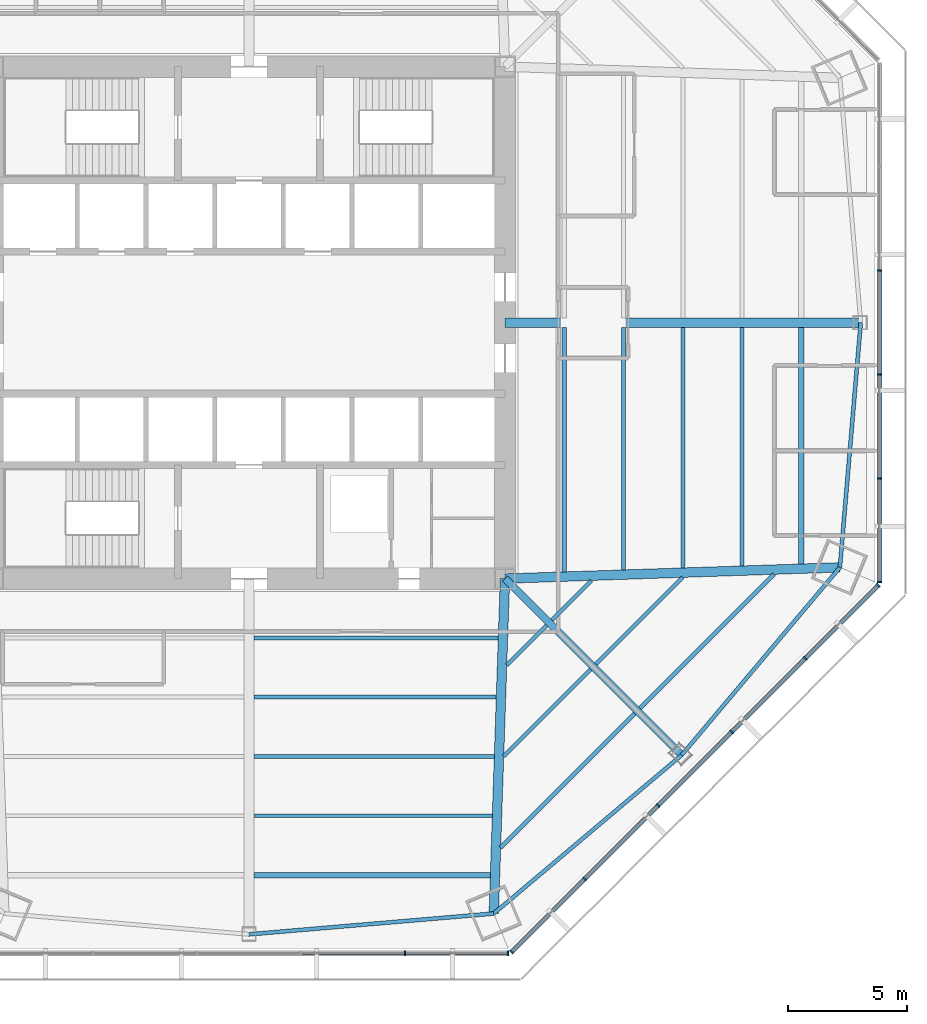
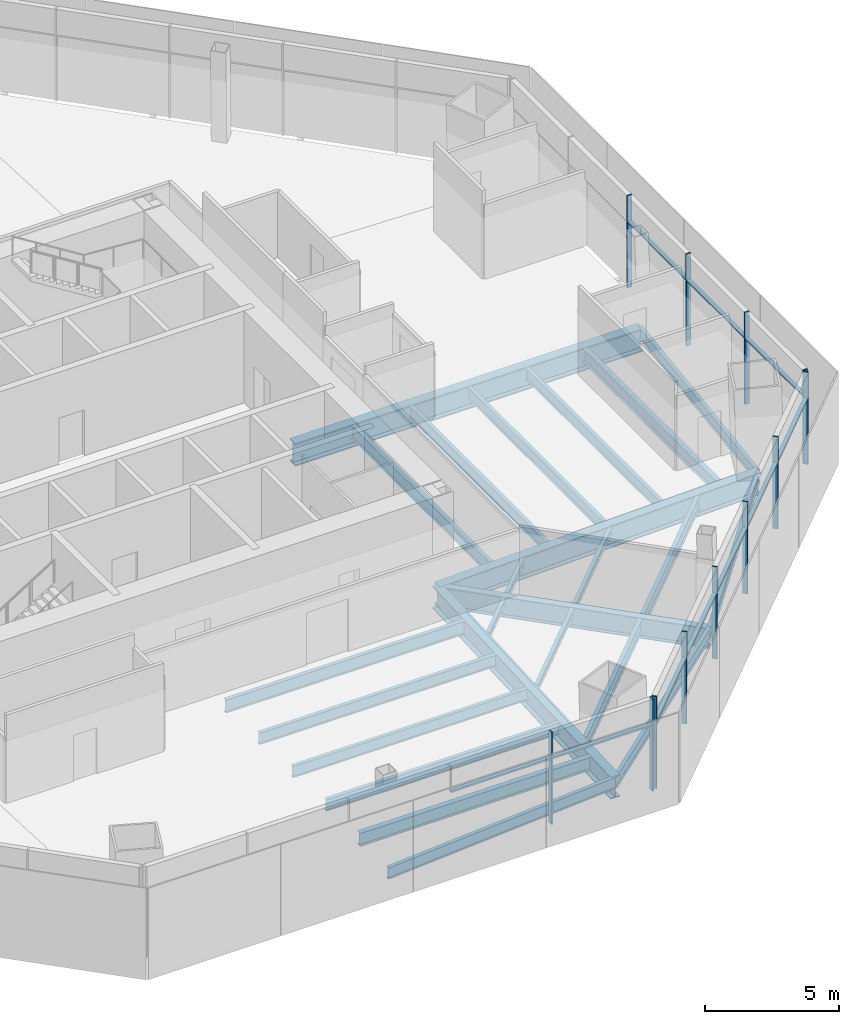
# One storey, part 3 of 13: 24 beams, 22 members, 3 elements without a shape of their own.
"""IFC4 building model written with IfcOpenShell, lengths in metres."""

import ifcopenshell
import ifcopenshell.guid

model = None  # the IFC model being written
_history = None  # IfcOwnerHistory: only IFC2X3 demands one
_inside = {}  # id of a spatial element -> (the spatial element, [elements in it])
_under = {}  # id of a project, library or spatial element -> (it, [spatial elements below it])
_declared = {}  # id of a project -> (the project, [libraries it declares])
_typed = {}  # id of a type object -> (the type object, [elements of that type])
_made_of = {}  # id of a material, layer set ... -> (it, [elements and type objects made of it])


def new_model(schema):
    """Start an empty IFC model of exactly this schema.

    Asked for "IFC4X3", IfcOpenShell would pick the latest addendum, in which some entities
    have other attributes; the version numbers below select the first issue.
    IFC2X3 requires an IfcOwnerHistory on every rooted entity: one is made here for all.
    """
    global model, _history
    if schema == "IFC4X3":
        model = ifcopenshell.file(schema_version=(4, 3, 0, 0))
    else:
        model = ifcopenshell.file(schema=schema)
    _inside.clear()
    _under.clear()
    _declared.clear()
    _typed.clear()
    _made_of.clear()
    _history = None
    if model.schema == "IFC2X3":
        org = make("IfcOrganization", Name="unknown")
        user = make(
            "IfcPersonAndOrganization",
            ThePerson=make("IfcPerson", FamilyName="unknown"),
            TheOrganization=org,
        )
        app = make(
            "IfcApplication",
            ApplicationDeveloper=org,
            Version="unknown",
            ApplicationFullName="unknown",
            ApplicationIdentifier="unknown",
        )
        _history = make(
            "IfcOwnerHistory",
            OwningUser=user,
            OwningApplication=app,
            ChangeAction="ADDED",
            CreationDate=0,
        )
    return model


def make(cls, **values):
    """One entity of the class cls with the attributes given. An attribute that is None is left unset."""
    return model.create_entity(
        cls, **{name: value for name, value in values.items() if value is not None}
    )


def rooted(cls, **values):
    """An entity with a GlobalId (a new one), such as an element, a storey or a relation."""
    return make(cls, GlobalId=ifcopenshell.guid.new(), OwnerHistory=_history, **values)


def si_unit(unit_type, name, prefix=None):
    """IfcSIUnit, for example si_unit("LENGTHUNIT", "METRE", prefix="MILLI")."""
    return make("IfcSIUnit", UnitType=unit_type, Prefix=prefix, Name=name)


def assignment(units):
    """IfcUnitAssignment: the units of a project."""
    return None if units is None else make("IfcUnitAssignment", Units=units)


def point(xyz):
    """IfcCartesianPoint."""
    return None if xyz is None else make("IfcCartesianPoint", Coordinates=xyz)


def direction(xyz):
    """IfcDirection."""
    return None if xyz is None else make("IfcDirection", DirectionRatios=xyz)


def frame(location, z_axis=None, x_axis=None):
    """IfcAxis2Placement3D, a coordinate frame: its origin and axes. An axis left out is left unset."""
    return make(
        "IfcAxis2Placement3D",
        Location=point(location),
        Axis=direction(z_axis),
        RefDirection=direction(x_axis),
    )


def frame_2d(location, x_axis=None):
    """IfcAxis2Placement2D, a coordinate frame in the plane: its origin and x axis."""
    return make(
        "IfcAxis2Placement2D", Location=point(location), RefDirection=direction(x_axis)
    )


def origin():
    """The frame at (0, 0, 0) with its axes left unset."""
    return frame((0.0, 0.0, 0.0))


def origin_2d():
    """The frame at (0, 0) in the plane with its x axis left unset."""
    return frame_2d((0.0, 0.0))


def place(relative_to, where):
    """IfcLocalPlacement: puts the frame where relative to a parent placement (None: the world)."""
    return make(
        "IfcLocalPlacement", PlacementRelTo=relative_to, RelativePlacement=where
    )


def context(
    kind, dimensions, precision=None, world=None, true_north=None, identifier=None
):
    """IfcGeometricRepresentationContext, for example the 3D "Model" context."""
    return make(
        "IfcGeometricRepresentationContext",
        ContextIdentifier=identifier,
        ContextType=kind,
        CoordinateSpaceDimension=dimensions,
        Precision=precision,
        WorldCoordinateSystem=world,
        TrueNorth=true_north,
    )


def subcontext(parent, identifier, kind, view, scale=None):
    """IfcGeometricRepresentationSubContext, for example "Body" below "Model"."""
    return make(
        "IfcGeometricRepresentationSubContext",
        ContextIdentifier=identifier,
        ContextType=kind,
        ParentContext=parent,
        TargetScale=scale,
        TargetView=view,
    )


def project(units=None, contexts=None):
    """IfcProject with its units and contexts."""
    return rooted(
        "IfcProject",
        Name="project",
        RepresentationContexts=contexts,
        UnitsInContext=assignment(units),
    )


def spatial(cls, under=None, at=None, **own):
    """A site, building, storey or space (cls), placed at a placement, below another one or the project."""
    s = rooted(cls, ObjectPlacement=at, **own)
    if under is not None:
        _under.setdefault(under.id(), (under, []))[1].append(s)
    return s


def profile(cls, at=None, kind="AREA", **sizes):
    """A parametric profile (cls). Its sizes go by their IFC names, for example OverallWidth=200.0."""
    return make(cls, ProfileType=kind, Position=at, **sizes)


def rectangle(**sizes):
    """IfcRectangleProfileDef."""
    return profile("IfcRectangleProfileDef", **sizes)


def i_section(**sizes):
    """IfcIShapeProfileDef."""
    return profile("IfcIShapeProfileDef", **sizes)


def extrude(swept, where, along, depth):
    """IfcExtrudedAreaSolid: the profile swept, set in the frame where, extruded along a direction by depth."""
    return make(
        "IfcExtrudedAreaSolid",
        SweptArea=swept,
        Position=where,
        ExtrudedDirection=direction(along),
        Depth=depth,
    )


def shape(context_of_items, identifier, shape_type, items):
    """IfcShapeRepresentation: the items that make up one representation, for example the "Body"."""
    return make(
        "IfcShapeRepresentation",
        ContextOfItems=context_of_items,
        RepresentationIdentifier=identifier,
        RepresentationType=shape_type,
        Items=items,
    )


def source(mapping_origin, context_of_items, identifier, shape_type, items):
    """IfcRepresentationMap: a shape defined once, which mapped items show again and again."""
    return make(
        "IfcRepresentationMap",
        MappingOrigin=mapping_origin,
        MappedRepresentation=shape(context_of_items, identifier, shape_type, items),
    )


def transform(
    local_origin,
    x_axis=None,
    y_axis=None,
    z_axis=None,
    scale=None,
    scale2=None,
    scale3=None,
    uniform=True,
):
    """IfcCartesianTransformationOperator3D, or its non-uniform kind. x_axis, y_axis, z_axis: its Axis1, 2, 3."""
    if uniform:
        return make(
            "IfcCartesianTransformationOperator3D",
            Axis1=direction(x_axis),
            Axis2=direction(y_axis),
            LocalOrigin=point(local_origin),
            Scale=scale,
            Axis3=direction(z_axis),
        )
    return make(
        "IfcCartesianTransformationOperator3DnonUniform",
        Axis1=direction(x_axis),
        Axis2=direction(y_axis),
        LocalOrigin=point(local_origin),
        Scale=scale,
        Axis3=direction(z_axis),
        Scale2=scale2,
        Scale3=scale3,
    )


def mapped(mapping_source, mapping_target):
    """IfcMappedItem: shows the shape of a source again, moved by a transform."""
    return make(
        "IfcMappedItem", MappingSource=mapping_source, MappingTarget=mapping_target
    )


def material(Name=None, Category=None):
    """IfcMaterial."""
    return make("IfcMaterial", Name=Name, Category=Category)


def material_profile(
    of_material, cross_section, Name=None, Category=None, Priority=None
):
    """IfcMaterialProfile: a cross section and its material."""
    return make(
        "IfcMaterialProfile",
        Name=Name,
        Material=of_material,
        Profile=cross_section,
        Priority=Priority,
        Category=Category,
    )


def profile_set(profiles, Name=None, composite=None):
    """IfcMaterialProfileSet."""
    return make(
        "IfcMaterialProfileSet",
        Name=Name,
        MaterialProfiles=profiles,
        CompositeProfile=composite,
    )


def made_of(thing, what):
    """Note that an element or type object is made of a material, layer set ...; save() writes the relation."""
    if what is not None:
        _made_of.setdefault(what.id(), (what, []))[1].append(thing)
    return thing


def type_object(cls, material=None, **own):
    """A type object (cls), such as IfcWallType, which elements share."""
    return made_of(rooted(cls, **own), material)


def type_shapes(of_type, sources):
    """Give a type object the sources (RepresentationMaps) that its elements show as mapped items."""
    of_type.RepresentationMaps = sources


def element(
    cls,
    number,
    at=None,
    inside=None,
    cuts=None,
    type_object=None,
    material=None,
    context=None,
    identifier="Body",
    shape_type=None,
    held_by="IfcProductDefinitionShape",
    body=None,
    shapes=None,
    **own,
):
    """One element of the class cls, such as IfcWall. Its Tag is "e" and its number.

    at: its placement. inside: the storey or other place that contains it. cuts: it is an
    opening in that element (IfcRelVoidsElement). A single representation is given by context,
    identifier, shape_type and body (its items); several are given by shapes. held_by: the class
    of the entity that holds the representations. save() writes the other relations.
    """
    e = rooted(cls, Tag="e%d" % number, ObjectPlacement=at, **own)
    if body is not None:
        shapes = [shape(context, identifier, shape_type, body)]
    if shapes is not None:
        e.Representation = make(held_by, Representations=shapes)
    if inside is not None:
        _inside.setdefault(inside.id(), (inside, []))[1].append(e)
    if cuts is not None:
        rooted(
            "IfcRelVoidsElement", RelatingBuildingElement=cuts, RelatedOpeningElement=e
        )
    if type_object is not None:
        _typed.setdefault(type_object.id(), (type_object, []))[1].append(e)
    return made_of(e, material)


def aggregate(whole, parts):
    """IfcRelAggregates: a whole, such as a stair, and the parts it consists of."""
    return rooted("IfcRelAggregates", RelatingObject=whole, RelatedObjects=parts)


def save(model, path):
    """Write the relations noted so far, then the file.

    IfcRelAggregates (storeys below a building ...), IfcRelContainedInSpatialStructure (elements
    in a storey), IfcRelDefinesByType, IfcRelAssociatesMaterial and IfcRelDeclares: one each for
    every whole, place, type object, material and project.
    """
    for whole, parts in _under.values():
        aggregate(whole, parts)
    for where, things in _inside.values():
        rooted(
            "IfcRelContainedInSpatialStructure",
            RelatedElements=things,
            RelatingStructure=where,
        )
    for kind, things in _typed.values():
        rooted("IfcRelDefinesByType", RelatedObjects=things, RelatingType=kind)
    for what, things in _made_of.values():
        rooted("IfcRelAssociatesMaterial", RelatedObjects=things, RelatingMaterial=what)
    for by, libraries in _declared.values():
        rooted("IfcRelDeclares", RelatingContext=by, RelatedDefinitions=libraries)
    model.write(path)


model = new_model("IFC4")

# Units and contexts
model_context = context("Model", 3, precision=1e-05, world=origin(), true_north=direction((0.0, 1.0)))
body_context = subcontext(model_context, "Body", "Model", "MODEL_VIEW")
ifc_project = project(units=[si_unit("LENGTHUNIT", "METRE"), si_unit("AREAUNIT", "SQUARE_METRE"), si_unit("VOLUMEUNIT", "CUBIC_METRE"), si_unit("PLANEANGLEUNIT", "RADIAN"), si_unit("MASSUNIT", "GRAM", prefix="KILO")], contexts=[model_context])

# Site, building, storey
site_placement = place(None, origin())
site = spatial("IfcSite", under=ifc_project, at=site_placement, CompositionType="ELEMENT")
building_placement = place(site_placement, origin())
building = spatial("IfcBuilding", under=site, at=building_placement, Name="Mashrafa Tower", CompositionType="ELEMENT")
storey_placement = place(building_placement, frame((0.0, 0.0, 49.800048828125)))
storey = spatial("IfcBuildingStorey", under=building, at=storey_placement, Name="L10", CompositionType="ELEMENT", Elevation=49.800048828125)

# Beams
ifc_material_1 = material(Name="Steel ASTM A992", Category="steel")
ifc_material_profile_1 = material_profile(ifc_material_1, i_section(OverallWidth=0.164794921875, OverallDepth=0.309814453125, WebThickness=0.005859375, FlangeThickness=0.009765625, FilletRadius=0.007568359375, at=origin_2d()), Name="W12X26")
ifc_profile_set_1 = profile_set([ifc_material_profile_1], Name="Steel ASTM A992")
beam_type_1 = type_object("IfcBeamType", Name="Beam W12X26", PredefinedType="BEAM", material=ifc_profile_set_1)
beam_1_placement = place(storey_placement, frame((12.553955078125, -12.771484375, -0.320068359375), z_axis=(-0.707055252181, -0.707158306437, 0.0), x_axis=(0.707158306437, -0.707055252181, 0.0)))
element("IfcBeam", 1, at=beam_1_placement, inside=storey, type_object=beam_type_1, Name="Floor beam L10 046", PredefinedType="BEAM", context=body_context, shape_type="SweptSolid", body=[
    extrude(i_section(OverallWidth=0.164794921875, OverallDepth=0.309814453125, WebThickness=0.005859375, FlangeThickness=0.009765625, FilletRadius=0.007568359375, at=origin_2d()), origin(), (0.0, 0.0, 1.0), 2.369140625),
])
beam_2_placement = place(storey_placement, frame((14.416748046875, -14.63427734375, -0.320068359375), z_axis=(-0.707106781187, -0.707106781187, 0.0), x_axis=(0.707106781187, -0.707106781187, 0.0)))
element("IfcBeam", 2, at=beam_2_placement, inside=storey, type_object=beam_type_1, Name="Floor beam L10 050", PredefinedType="BEAM", context=body_context, shape_type="SweptSolid", body=[
    extrude(i_section(OverallWidth=0.164794921875, OverallDepth=0.309814453125, WebThickness=0.005859375, FlangeThickness=0.009765625, FilletRadius=0.007568359375, at=origin_2d()), origin(), (0.0, 0.0, 1.0), 5.185546875),
])
beam_3_placement = place(storey_placement, frame((14.44677734375, -10.87890625, -0.320068359375), z_axis=(-0.707158306437, -0.707055252181, 0.0), x_axis=(0.707055252181, -0.707158306437, 0.0)))
element("IfcBeam", 3, at=beam_3_placement, inside=storey, type_object=beam_type_1, Name="Floor beam L10 052", PredefinedType="BEAM", context=body_context, shape_type="SweptSolid", body=[
    extrude(i_section(OverallWidth=0.164794921875, OverallDepth=0.309814453125, WebThickness=0.005859375, FlangeThickness=0.009765625, FilletRadius=0.007568359375, at=origin_2d()), origin(), (0.0, 0.0, 1.0), 2.369140625),
])
beam_4_placement = place(storey_placement, frame((18.301025390625, -10.75, -0.320068359375), z_axis=(-0.707106781187, -0.707106781187, 0.0), x_axis=(0.707106781187, -0.707106781187, 0.0)))
element("IfcBeam", 4, at=beam_4_placement, inside=storey, type_object=beam_type_1, Name="Floor beam L10 059", PredefinedType="BEAM", context=body_context, shape_type="SweptSolid", body=[
    extrude(i_section(OverallWidth=0.164794921875, OverallDepth=0.309814453125, WebThickness=0.005859375, FlangeThickness=0.009765625, FilletRadius=0.007568359375, at=origin_2d()), origin(), (0.0, 0.0, 1.0), 5.185546875),
])
ifc_material_2 = material(Name="Steel ASTM A992", Category="steel")
ifc_material_profile_2 = material_profile(ifc_material_2, i_section(OverallWidth=0.1650390625, OverallDepth=0.52587890625, WebThickness=0.0087890625, FlangeThickness=0.011474609375, FilletRadius=0.0126953125, at=origin_2d()), Name="W21X44")
ifc_profile_set_2 = profile_set([ifc_material_profile_2], Name="Steel ASTM A992")
beam_type_2 = type_object("IfcBeamType", Name="Beam W21X44", PredefinedType="BEAM", material=ifc_profile_set_2)
beam_5_placement = place(storey_placement, frame((10.264404296875, -20.80712890625, -0.427978515625), z_axis=(-1.0, 0.0, 0.0), x_axis=(0.0, -1.0, 0.0)))
element("IfcBeam", 5, at=beam_5_placement, inside=storey, type_object=beam_type_2, Name="Floor beam L10 040", PredefinedType="BEAM", context=body_context, shape_type="SweptSolid", body=[
    extrude(i_section(OverallWidth=0.1650390625, OverallDepth=0.52587890625, WebThickness=0.0087890625, FlangeThickness=0.011474609375, FilletRadius=0.0126953125, at=origin_2d()), origin(), (0.0, 0.0, 1.0), 10.059814453125),
])
for number, where, z_axis, x_axis, name in (
    (6, (10.34814453125, -18.305419921875, -0.427978515625), (-1.0, 0.0, 0.0), (0.0, -1.0, 0.0), "Floor beam L10 042"),
    (7, (18.305419921875, -0.20458984375, -0.427978515625), (0.0, -1.0, 0.0), (1.0, 0.0, 0.0), "Floor beam L10 057"),
):
    element("IfcBeam", number, at=place(storey_placement, frame(where, z_axis=z_axis, x_axis=x_axis)), inside=storey, type_object=beam_type_2, Name=name, PredefinedType="BEAM", context=body_context, shape_type="SweptSolid", body=[
        extrude(i_section(OverallWidth=0.1650390625, OverallDepth=0.52587890625, WebThickness=0.0087890625, FlangeThickness=0.011474609375, FilletRadius=0.0126953125, at=origin_2d()), origin(), (0.0, 0.0, 1.0), 10.1435546875),
    ])
beam_6_placement = place(storey_placement, frame((20.80712890625, -0.20458984375, -0.427978515625), z_axis=(0.0, -1.0, 0.0), x_axis=(1.0, 0.0, 0.0)))
element("IfcBeam", 8, at=beam_6_placement, inside=storey, type_object=beam_type_2, Name="Floor beam L10 060", PredefinedType="BEAM", context=body_context, shape_type="SweptSolid", body=[
    extrude(i_section(OverallWidth=0.1650390625, OverallDepth=0.52587890625, WebThickness=0.0087890625, FlangeThickness=0.011474609375, FilletRadius=0.0126953125, at=origin_2d()), origin(), (0.0, 0.0, 1.0), 10.059814453125),
])
ifc_material_3 = material(Name="Steel ASTM A992", Category="steel")
ifc_material_profile_3 = material_profile(ifc_material_3, i_section(OverallWidth=0.165771484375, OverallDepth=0.5283203125, WebThickness=0.009765625, FlangeThickness=0.013671875, FilletRadius=0.012939453125, at=origin_2d()), Name="W21X50")
ifc_profile_set_3 = profile_set([ifc_material_profile_3], Name="Steel ASTM A992")
beam_type_3 = type_object("IfcBeamType", Name="Beam W21X50", PredefinedType="BEAM", material=ifc_profile_set_3)
for number, where, z_axis, x_axis, name in (
    (9, (10.431884765625, -15.803466796875, -0.42919921875), (-1.0, 0.0, 0.0), (0.0, -1.0, 0.0), "Floor beam L10 043"),
    (10, (15.803466796875, -0.20458984375, -0.42919921875), (0.0, -1.0, 0.0), (1.0, 0.0, 0.0), "Floor beam L10 053"),
):
    element("IfcBeam", number, at=place(storey_placement, frame(where, z_axis=z_axis, x_axis=x_axis)), inside=storey, type_object=beam_type_3, Name=name, PredefinedType="BEAM", context=body_context, shape_type="SweptSolid", body=[
        extrude(i_section(OverallWidth=0.165771484375, OverallDepth=0.5283203125, WebThickness=0.009765625, FlangeThickness=0.013671875, FilletRadius=0.012939453125, at=origin_2d()), origin(), (0.0, 0.0, 1.0), 10.227294921875),
    ])
beam_7_placement = place(storey_placement, frame((0.0, -25.810546875, -0.42919921875), z_axis=(0.996404144799, 0.08472768277, 0.0), x_axis=(-0.08472768277, 0.996404144799, 0.0)))
element("IfcBeam", 11, at=beam_7_placement, inside=storey, type_object=beam_type_3, Name="Spandrel beam L10 088", PredefinedType="BEAM", context=body_context, shape_type="SweptSolid", body=[
    extrude(i_section(OverallWidth=0.165771484375, OverallDepth=0.5283203125, WebThickness=0.009765625, FlangeThickness=0.013671875, FilletRadius=0.012939453125, at=origin_2d()), origin(), (0.0, 0.0, 1.0), 10.36474609375),
])
for number, where, z_axis, x_axis, name in (
    (12, (10.327392578125, -24.932373046875, -0.42919921875), (0.764487724476, 0.644638285495, 0.0), (-0.644638285495, 0.764487724476, 0.0), "Spandrel beam L10 090"),
    (13, (18.2509765625, -18.2509765625, -0.42919921875), (0.644638285495, 0.764487724476, 0.0), (-0.764487724476, 0.644638285495, 0.0), "Spandrel beam L10 092"),
):
    element("IfcBeam", number, at=place(storey_placement, frame(where, z_axis=z_axis, x_axis=x_axis)), inside=storey, type_object=beam_type_3, Name=name, PredefinedType="BEAM", context=body_context, shape_type="SweptSolid", body=[
        extrude(i_section(OverallWidth=0.165771484375, OverallDepth=0.5283203125, WebThickness=0.009765625, FlangeThickness=0.013671875, FilletRadius=0.012939453125, at=origin_2d()), origin(), (0.0, 0.0, 1.0), 10.364501953125),
    ])
beam_8_placement = place(storey_placement, frame((24.932373046875, -10.327392578125, -0.42919921875), z_axis=(0.08472768277, 0.996404144799, 0.0), x_axis=(-0.996404144799, 0.08472768277, 0.0)))
element("IfcBeam", 14, at=beam_8_placement, inside=storey, type_object=beam_type_3, Name="Spandrel beam L10 094", PredefinedType="BEAM", context=body_context, shape_type="SweptSolid", body=[
    extrude(i_section(OverallWidth=0.165771484375, OverallDepth=0.5283203125, WebThickness=0.009765625, FlangeThickness=0.013671875, FilletRadius=0.012939453125, at=origin_2d()), origin(), (0.0, 0.0, 1.0), 10.36474609375),
])
ifc_material_4 = material(Name="Steel ASTM A992", Category="steel")
ifc_material_profile_4 = material_profile(ifc_material_4, i_section(OverallWidth=0.177978515625, OverallDepth=0.599365234375, WebThickness=0.010009765625, FlangeThickness=0.012939453125, FilletRadius=0.012939453125, at=origin_2d()), Name="W24X55")
ifc_profile_set_4 = profile_set([ifc_material_profile_4], Name="Steel ASTM A992")
beam_type_4 = type_object("IfcBeamType", Name="Beam W24X55", PredefinedType="BEAM", material=ifc_profile_set_4)
for number, where, z_axis, x_axis, name in (
    (15, (10.515380859375, -13.3017578125, -0.46484375), (-1.0, 0.0, 0.0), (0.0, -1.0, 0.0), "Floor beam L10 045"),
    (16, (13.3017578125, -0.20458984375, -0.46484375), (0.0, -1.0, 0.0), (1.0, 0.0, 0.0), "Floor beam L10 048"),
):
    element("IfcBeam", number, at=place(storey_placement, frame(where, z_axis=z_axis, x_axis=x_axis)), inside=storey, type_object=beam_type_4, Name=name, PredefinedType="BEAM", context=body_context, shape_type="SweptSolid", body=[
        extrude(i_section(OverallWidth=0.177978515625, OverallDepth=0.599365234375, WebThickness=0.010009765625, FlangeThickness=0.012939453125, FilletRadius=0.012939453125, at=origin_2d()), origin(), (0.0, 0.0, 1.0), 10.310791015625),
    ])
for number, where, z_axis, x_axis, name in (
    (17, (16.279541015625, -16.496826171875, -0.46484375), (-0.707106781187, -0.707106781187, 0.0), (0.707106781187, -0.707106781187, 0.0), "Floor beam L10 055"),
    (18, (22.155517578125, -10.620849609375, -0.46484375), (-0.707106781187, -0.707106781187, 0.0), (0.707106781187, -0.707106781187, 0.0), "Floor beam L10 062"),
):
    element("IfcBeam", number, at=place(storey_placement, frame(where, z_axis=z_axis, x_axis=x_axis)), inside=storey, type_object=beam_type_4, Name=name, PredefinedType="BEAM", context=body_context, shape_type="SweptSolid", body=[
        extrude(i_section(OverallWidth=0.177978515625, OverallDepth=0.599365234375, WebThickness=0.010009765625, FlangeThickness=0.012939453125, FilletRadius=0.012939453125, at=origin_2d()), origin(), (0.0, 0.0, 1.0), 8.002685546875),
    ])
ifc_material_5 = material(Name="Steel ASTM A992", Category="steel")
ifc_material_profile_5 = material_profile(ifc_material_5, i_section(OverallWidth=0.227783203125, OverallDepth=0.60205078125, WebThickness=0.010498046875, FlangeThickness=0.014892578125, FilletRadius=0.012939453125, at=origin_2d()), Name="W24X68")
ifc_profile_set_5 = profile_set([ifc_material_profile_5], Name="Steel ASTM A992")
beam_type_5 = type_object("IfcBeamType", Name="Beam W24X68", PredefinedType="BEAM", material=ifc_profile_set_5)
for number, where, z_axis, x_axis, name in (
    (19, (10.180908203125, -23.308837890625, -0.466064453125), (-1.0, 0.0, 0.0), (0.0, -1.0, 0.0), "Floor beam L10 038"),
    (20, (23.308837890625, -0.20458984375, -0.466064453125), (0.0, -1.0, 0.0), (1.0, 0.0, 0.0), "Floor beam L10 063"),
):
    element("IfcBeam", number, at=place(storey_placement, frame(where, z_axis=z_axis, x_axis=x_axis)), inside=storey, type_object=beam_type_5, Name=name, PredefinedType="BEAM", context=body_context, shape_type="SweptSolid", body=[
        extrude(i_section(OverallWidth=0.227783203125, OverallDepth=0.60205078125, WebThickness=0.010498046875, FlangeThickness=0.014892578125, FilletRadius=0.012939453125, at=origin_2d()), origin(), (0.0, 0.0, 1.0), 9.976318359375),
    ])
ifc_material_6 = material(Name="Steel ASTM A992", Category="steel")
ifc_material_profile_6 = material_profile(ifc_material_6, i_section(OverallWidth=0.307373046875, OverallDepth=0.927001953125, WebThickness=0.01953125, FlangeThickness=0.031982421875, FilletRadius=0.01904296875, at=origin_2d()), Name="W36X194")
ifc_profile_set_6 = profile_set([ifc_material_profile_6], Name="Steel ASTM A992")
beam_type_6 = type_object("IfcBeamType", Name="Beam W36X194", PredefinedType="BEAM", material=ifc_profile_set_6)
beam_9_placement = place(storey_placement, frame((10.800048828125, -10.800048828125, -0.628662109375), z_axis=(0.707106781187, -0.707106781187, 0.0), x_axis=(0.707106781187, 0.707106781187, 0.0)))
element("IfcBeam", 21, at=beam_9_placement, inside=storey, type_object=beam_type_6, Name="Radial girder L10 075", PredefinedType="BEAM", context=body_context, shape_type="SweptSolid", body=[
    extrude(i_section(OverallWidth=0.307373046875, OverallDepth=0.927001953125, WebThickness=0.01953125, FlangeThickness=0.031982421875, FilletRadius=0.01904296875, at=origin_2d()), origin(), (0.0, 0.0, 1.0), 10.537109375),
])
ifc_material_7 = material(Name="Steel ASTM A992", Category="steel")
ifc_material_profile_7 = material_profile(ifc_material_7, i_section(OverallWidth=0.4013671875, OverallDepth=1.010986328125, WebThickness=0.023681640625, FlangeThickness=0.0419921875, FilletRadius=0.02001953125, at=origin_2d()), Name="W40X297")
ifc_profile_set_7 = profile_set([ifc_material_profile_7], Name="Steel ASTM A992")
beam_type_7 = type_object("IfcBeamType", Name="Beam W40X297", PredefinedType="BEAM", material=ifc_profile_set_7)
for number, where, z_axis, x_axis, name in (
    (22, (10.800048828125, -10.800048828125, -0.67041015625), (-0.033426357507, -0.999441183174, 0.0), (0.999441183174, -0.033426357507, 0.0), "Radial girder L10 074"),
    (23, (10.800048828125, -10.800048828125, -0.67041015625), (0.999441183174, 0.033426357507, 0.0), (-0.033426357507, 0.999441183174, 0.0), "Radial girder L10 076"),
):
    element("IfcBeam", number, at=place(storey_placement, frame(where, z_axis=z_axis, x_axis=x_axis)), inside=storey, type_object=beam_type_7, Name=name, PredefinedType="BEAM", context=body_context, shape_type="SweptSolid", body=[
        extrude(i_section(OverallWidth=0.4013671875, OverallDepth=1.010986328125, WebThickness=0.023681640625, FlangeThickness=0.0419921875, FilletRadius=0.02001953125, at=origin_2d()), origin(), (0.0, 0.0, 1.0), 14.14013671875),
    ])
ifc_material_8 = material(Name="Steel ASTM A992", Category="steel")
ifc_material_profile_8 = material_profile(ifc_material_8, i_section(OverallWidth=0.408935546875, OverallDepth=1.04150390625, WebThickness=0.031005859375, FlangeThickness=0.055908203125, FilletRadius=0.020263671875, at=origin_2d()), Name="W40X397")
ifc_profile_set_8 = profile_set([ifc_material_profile_8], Name="Steel ASTM A992")
beam_type_8 = type_object("IfcBeamType", Name="Beam W40X397", PredefinedType="BEAM", material=ifc_profile_set_8)
beam_10_placement = place(storey_placement, frame((10.800048828125, 0.0, -0.685791015625), z_axis=(1.0, 0.0, 0.0), x_axis=(0.0, 1.0, 0.0)))
element("IfcBeam", 24, at=beam_10_placement, inside=storey, type_object=beam_type_8, Name="Radial girder L10 077", PredefinedType="BEAM", context=body_context, shape_type="SweptSolid", body=[
    extrude(i_section(OverallWidth=0.408935546875, OverallDepth=1.04150390625, WebThickness=0.031005859375, FlangeThickness=0.055908203125, FilletRadius=0.020263671875, at=origin_2d()), origin(), (0.0, 0.0, 1.0), 15.010498046875),
])

# Curtain wall, members
ifc_material_9 = material(Name="Unitised aluminium curtain wall", Category="aluminium")
curtain_wall_type = type_object("IfcCurtainWallType", Name="Office curtain wall, zone 1 CW-A 200 deep", PredefinedType="NOTDEFINED", material=ifc_material_9)
curtain_wall_1_placement = place(storey_placement, origin())
curtain_wall_1 = element("IfcCurtainWall", 25, at=curtain_wall_1_placement, inside=storey, type_object=curtain_wall_type, Name="Office curtain wall, zone 1 L10 east", PredefinedType="NOTDEFINED")
ifc_material_10 = material(Name="Extruded aluminium mullion", Category="aluminium")
ifc_material_profile_9 = material_profile(ifc_material_10, rectangle(XDim=0.199951171875, YDim=0.06494140625, at=origin_2d()), Name="Mullion 65x200")
ifc_profile_set_9 = profile_set([ifc_material_profile_9], Name="Extruded aluminium mullion")
member_type_1 = type_object("IfcMemberType", Name="Mullion CW-A 65 x 200", PredefinedType="MULLION", material=ifc_profile_set_9)
shared_shape_1 = source(origin(), body_context, "Body", "SweptSolid", [
    extrude(rectangle(XDim=0.199951171875, YDim=0.06494140625, at=origin_2d()), origin(), (0.0, 0.0, 1.0), 4.199951171875),
])
type_shapes(member_type_1, [shared_shape_1])
member_1_placement = place(storey_placement, frame((26.60595703125, -10.9365234375, 0.0), z_axis=(0.0, 0.0, 1.0), x_axis=(-1.0, 0.0, 0.0)))
member_1 = element("IfcMember", 26, at=member_1_placement, type_object=member_type_1, Name="CW-A mullion 1", PredefinedType="MULLION", context=body_context, shape_type="MappedRepresentation", body=[
    mapped(shared_shape_1, transform((0.0, 0.0, 0.0))),
])
member_2_placement = place(storey_placement, frame((26.60595703125, -6.58154296875, 0.0), z_axis=(0.0, 0.0, 1.0), x_axis=(-1.0, 0.0, 0.0)))
member_2 = element("IfcMember", 27, at=member_2_placement, type_object=member_type_1, Name="CW-A mullion 2", PredefinedType="MULLION", context=body_context, shape_type="MappedRepresentation", body=[
    mapped(shared_shape_1, transform((0.0, 0.0, 0.0))),
])
member_3_placement = place(storey_placement, frame((26.60595703125, -2.19384765625, 0.0), z_axis=(0.0, 0.0, 1.0), x_axis=(-1.0, 0.0, 0.0)))
member_3 = element("IfcMember", 28, at=member_3_placement, type_object=member_type_1, Name="CW-A mullion 3", PredefinedType="MULLION", context=body_context, shape_type="MappedRepresentation", body=[
    mapped(shared_shape_1, transform((0.0, 0.0, 0.0))),
])
member_4_placement = place(storey_placement, frame((26.60595703125, 2.19384765625, 0.0), z_axis=(0.0, 0.0, 1.0), x_axis=(-1.0, 0.0, 0.0)))
member_4 = element("IfcMember", 29, at=member_4_placement, type_object=member_type_1, Name="CW-A mullion 4", PredefinedType="MULLION", context=body_context, shape_type="MappedRepresentation", body=[
    mapped(shared_shape_1, transform((0.0, 0.0, 0.0))),
])

curtain_wall_2_placement = place(storey_placement, origin())
curtain_wall_2 = element("IfcCurtainWall", 30, at=curtain_wall_2_placement, inside=storey, type_object=curtain_wall_type, Name="Office curtain wall, zone 1 L10 south", PredefinedType="NOTDEFINED")
member_5_placement = place(storey_placement, frame((6.58154296875, -26.60595703125, 0.0), z_axis=(0.0, 0.0, 1.0), x_axis=(0.0, 1.0, 0.0)))
member_5 = element("IfcMember", 31, at=member_5_placement, type_object=member_type_1, Name="CW-A mullion 5", PredefinedType="MULLION", context=body_context, shape_type="MappedRepresentation", body=[
    mapped(shared_shape_1, transform((0.0, 0.0, 0.0))),
])
member_6_placement = place(storey_placement, frame((10.9365234375, -26.60595703125, 0.0), z_axis=(0.0, 0.0, 1.0), x_axis=(0.0, 1.0, 0.0)))
member_6 = element("IfcMember", 32, at=member_6_placement, type_object=member_type_1, Name="CW-A mullion 6", PredefinedType="MULLION", context=body_context, shape_type="MappedRepresentation", body=[
    mapped(shared_shape_1, transform((0.0, 0.0, 0.0))),
])

curtain_wall_3_placement = place(storey_placement, origin())
curtain_wall_3 = element("IfcCurtainWall", 33, at=curtain_wall_3_placement, inside=storey, type_object=curtain_wall_type, Name="Office curtain wall, zone 1 L10 south-east", PredefinedType="NOTDEFINED")
member_7_placement = place(storey_placement, frame((11.079833984375, -26.546630859375, 0.0), z_axis=(0.0, 0.0, 1.0), x_axis=(-0.707106781187, 0.707106781187, 0.0)))
member_7 = element("IfcMember", 34, at=member_7_placement, type_object=member_type_1, Name="CW-A mullion 1", PredefinedType="MULLION", context=body_context, shape_type="MappedRepresentation", body=[
    mapped(shared_shape_1, transform((0.0, 0.0, 0.0))),
])
member_8_placement = place(storey_placement, frame((14.159423828125, -23.467041015625, 0.0), z_axis=(0.0, 0.0, 1.0), x_axis=(-0.707106781187, 0.707106781187, 0.0)))
member_8 = element("IfcMember", 35, at=member_8_placement, type_object=member_type_1, Name="CW-A mullion 2", PredefinedType="MULLION", context=body_context, shape_type="MappedRepresentation", body=[
    mapped(shared_shape_1, transform((0.0, 0.0, 0.0))),
])
member_9_placement = place(storey_placement, frame((17.261962890625, -20.364501953125, 0.0), z_axis=(0.0, 0.0, 1.0), x_axis=(-0.707106781187, 0.707106781187, 0.0)))
member_9 = element("IfcMember", 36, at=member_9_placement, type_object=member_type_1, Name="CW-A mullion 3", PredefinedType="MULLION", context=body_context, shape_type="MappedRepresentation", body=[
    mapped(shared_shape_1, transform((0.0, 0.0, 0.0))),
])
member_10_placement = place(storey_placement, frame((20.364501953125, -17.261962890625, 0.0), z_axis=(0.0, 0.0, 1.0), x_axis=(-0.707106781187, 0.707106781187, 0.0)))
member_10 = element("IfcMember", 37, at=member_10_placement, type_object=member_type_1, Name="CW-A mullion 4", PredefinedType="MULLION", context=body_context, shape_type="MappedRepresentation", body=[
    mapped(shared_shape_1, transform((0.0, 0.0, 0.0))),
])
member_11_placement = place(storey_placement, frame((23.467041015625, -14.159423828125, 0.0), z_axis=(0.0, 0.0, 1.0), x_axis=(-0.707106781187, 0.707106781187, 0.0)))
member_11 = element("IfcMember", 38, at=member_11_placement, type_object=member_type_1, Name="CW-A mullion 5", PredefinedType="MULLION", context=body_context, shape_type="MappedRepresentation", body=[
    mapped(shared_shape_1, transform((0.0, 0.0, 0.0))),
])
member_12_placement = place(storey_placement, frame((26.546630859375, -11.079833984375, 0.0), z_axis=(0.0, 0.0, 1.0), x_axis=(-0.707106781187, 0.707106781187, 0.0)))
member_12 = element("IfcMember", 39, at=member_12_placement, type_object=member_type_1, Name="CW-A mullion 6", PredefinedType="MULLION", context=body_context, shape_type="MappedRepresentation", body=[
    mapped(shared_shape_1, transform((0.0, 0.0, 0.0))),
])

# Member
ifc_material_11 = material(Name="Extruded aluminium transom", Category="aluminium")
ifc_material_profile_10 = material_profile(ifc_material_11, rectangle(XDim=0.159912109375, YDim=0.080078125, at=origin_2d()), Name="Transom 80x160")
ifc_profile_set_10 = profile_set([ifc_material_profile_10], Name="Extruded aluminium transom")
member_type_2 = type_object("IfcMemberType", Name="Transom CW-A 80 x 160", PredefinedType="MULLION", material=ifc_profile_set_10)
shared_shape_2 = source(origin(), body_context, "Body", "SweptSolid", [
    extrude(rectangle(XDim=0.159912109375, YDim=0.080078125, at=origin_2d()), origin(), (0.0, 0.0, 1.0), 4.2900390625),
])
member_13_placement = place(storey_placement, frame((26.60595703125, -10.904052734375, 3.0), z_axis=(0.0, 1.0, 0.0), x_axis=(-1.0, 0.0, 0.0)))
member_13 = element("IfcMember", 40, at=member_13_placement, type_object=member_type_2, Name="CW-A transom 1", PredefinedType="MULLION", context=body_context, shape_type="MappedRepresentation", body=[
    mapped(shared_shape_2, transform((0.0, 0.0, 0.0))),
])

member_14_placement = place(storey_placement, frame((6.614013671875, -26.60595703125, 3.0), z_axis=(1.0, 0.0, 0.0), x_axis=(0.0, 1.0, 0.0)))
member_14 = element("IfcMember", 41, at=member_14_placement, type_object=member_type_2, Name="CW-A transom 5", PredefinedType="MULLION", context=body_context, shape_type="MappedRepresentation", body=[
    mapped(shared_shape_2, transform((0.0, 0.0, 0.0))),
])

shared_shape_3 = source(origin(), body_context, "Body", "SweptSolid", [
    extrude(rectangle(XDim=0.159912109375, YDim=0.080078125, at=origin_2d()), origin(), (0.0, 0.0, 1.0), 4.32275390625),
])
member_15_placement = place(storey_placement, frame((26.60595703125, -6.549072265625, 3.0), z_axis=(0.0, 1.0, 0.0), x_axis=(-1.0, 0.0, 0.0)))
member_15 = element("IfcMember", 42, at=member_15_placement, type_object=member_type_2, Name="CW-A transom 2", PredefinedType="MULLION", context=body_context, shape_type="MappedRepresentation", body=[
    mapped(shared_shape_3, transform((0.0, 0.0, 0.0))),
])

member_16_placement = place(storey_placement, frame((26.60595703125, -2.161376953125, 3.0), z_axis=(0.0, 1.0, 0.0), x_axis=(-1.0, 0.0, 0.0)))
member_16 = element("IfcMember", 43, at=member_16_placement, type_object=member_type_2, Name="CW-A transom 3", PredefinedType="MULLION", context=body_context, shape_type="MappedRepresentation", body=[
    mapped(shared_shape_3, transform((0.0, 0.0, 0.0))),
])

aggregate(curtain_wall_1, [member_1, member_2, member_3, member_4, member_13, member_15, member_16])

member_17_placement = place(storey_placement, frame((2.226318359375, -26.60595703125, 3.0), z_axis=(1.0, 0.0, 0.0), x_axis=(0.0, 1.0, 0.0)))
member_17 = element("IfcMember", 44, at=member_17_placement, type_object=member_type_2, Name="CW-A transom 4", PredefinedType="MULLION", context=body_context, shape_type="MappedRepresentation", body=[
    mapped(shared_shape_3, transform((0.0, 0.0, 0.0))),
])

aggregate(curtain_wall_2, [member_5, member_6, member_17, member_14])

member_18_placement = place(storey_placement, frame((14.182373046875, -23.444091796875, 3.0), z_axis=(0.707106781187, 0.707106781187, 0.0), x_axis=(-0.707106781187, 0.707106781187, 0.0)))
member_18 = element("IfcMember", 45, at=member_18_placement, type_object=member_type_2, Name="CW-A transom 2", PredefinedType="MULLION", context=body_context, shape_type="MappedRepresentation", body=[
    mapped(shared_shape_3, transform((0.0, 0.0, 0.0))),
])

member_19_placement = place(storey_placement, frame((17.284912109375, -20.341552734375, 3.0), z_axis=(0.707106781187, 0.707106781187, 0.0), x_axis=(-0.707106781187, 0.707106781187, 0.0)))
member_19 = element("IfcMember", 46, at=member_19_placement, type_object=member_type_2, Name="CW-A transom 3", PredefinedType="MULLION", context=body_context, shape_type="MappedRepresentation", body=[
    mapped(shared_shape_3, transform((0.0, 0.0, 0.0))),
])

member_20_placement = place(storey_placement, frame((20.387451171875, -17.239013671875, 3.0), z_axis=(0.707106781187, 0.707106781187, 0.0), x_axis=(-0.707106781187, 0.707106781187, 0.0)))
member_20 = element("IfcMember", 47, at=member_20_placement, type_object=member_type_2, Name="CW-A transom 4", PredefinedType="MULLION", context=body_context, shape_type="MappedRepresentation", body=[
    mapped(shared_shape_3, transform((0.0, 0.0, 0.0))),
])

shared_shape_4 = source(origin(), body_context, "Body", "SweptSolid", [
    extrude(rectangle(XDim=0.159912109375, YDim=0.080078125, at=origin_2d()), origin(), (0.0, 0.0, 1.0), 4.290283203125),
])
type_shapes(member_type_2, [shared_shape_2, shared_shape_3, shared_shape_4])
member_21_placement = place(storey_placement, frame((11.102783203125, -26.523681640625, 3.0), z_axis=(0.707106781187, 0.707106781187, 0.0), x_axis=(-0.707106781187, 0.707106781187, 0.0)))
member_21 = element("IfcMember", 48, at=member_21_placement, type_object=member_type_2, Name="CW-A transom 1", PredefinedType="MULLION", context=body_context, shape_type="MappedRepresentation", body=[
    mapped(shared_shape_4, transform((0.0, 0.0, 0.0))),
])

member_22_placement = place(storey_placement, frame((23.489990234375, -14.136474609375, 3.0), z_axis=(0.707106781187, 0.707106781187, 0.0), x_axis=(-0.707106781187, 0.707106781187, 0.0)))
member_22 = element("IfcMember", 49, at=member_22_placement, type_object=member_type_2, Name="CW-A transom 5", PredefinedType="MULLION", context=body_context, shape_type="MappedRepresentation", body=[
    mapped(shared_shape_4, transform((0.0, 0.0, 0.0))),
])

aggregate(curtain_wall_3, [member_7, member_8, member_9, member_10, member_11, member_12, member_21, member_18, member_19, member_20, member_22])

save(model, "model.ifc")
